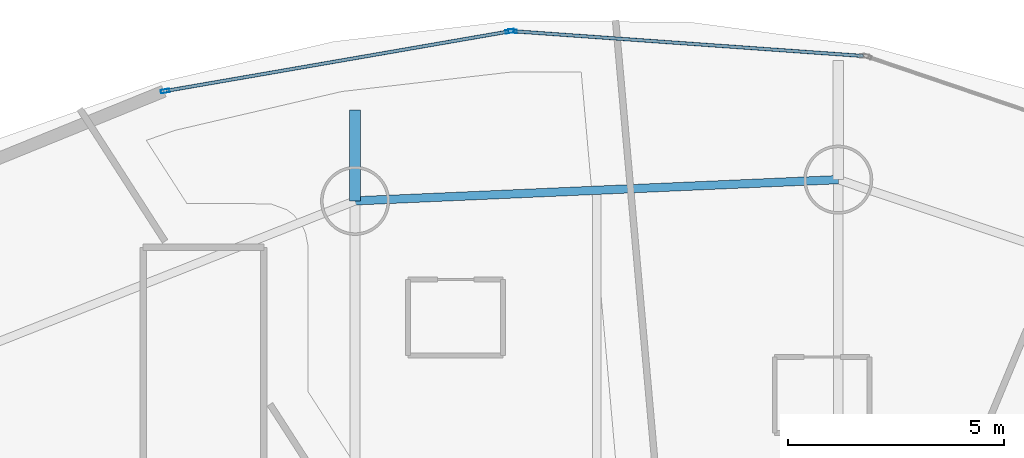
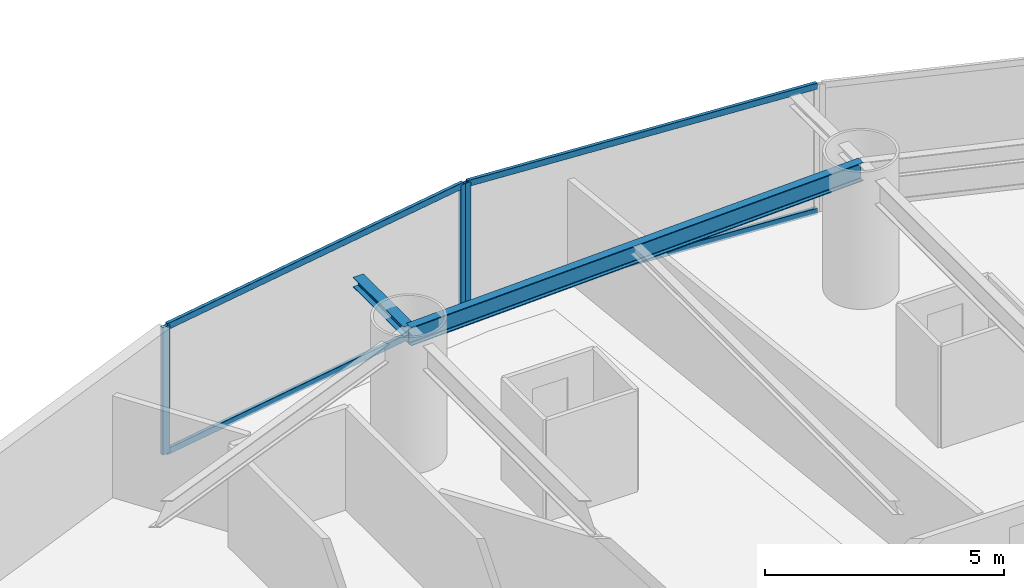
# One storey, part 14 of 27: 7 members, 2 beams, 2 elements without a shape of their own.
"""IFC4 building model written with IfcOpenShell, lengths in metres."""

from ifc_helpers import new_model, si_unit, direction, frame, origin, origin_2d, place, context, subcontext, project, spatial, hollow_rectangle, i_section, extrude, material, layer, layer_set, material_profile, profile_set, type_object, element, aggregate, save


model = new_model("IFC4")

# Units and contexts
model_context = context("Model", 3, precision=1e-05, world=origin(), true_north=direction((0.0, 1.0)))
body_context = subcontext(model_context, "Body", "Model", "MODEL_VIEW")
ifc_project = project(units=[si_unit("LENGTHUNIT", "METRE"), si_unit("AREAUNIT", "SQUARE_METRE"), si_unit("VOLUMEUNIT", "CUBIC_METRE"), si_unit("PLANEANGLEUNIT", "RADIAN"), si_unit("MASSUNIT", "GRAM", prefix="KILO")], contexts=[model_context])

# Site, building, storey
site_placement = place(None, origin())
site = spatial("IfcSite", under=ifc_project, at=site_placement, CompositionType="ELEMENT")
building_placement = place(site_placement, origin())
building = spatial("IfcBuilding", under=site, at=building_placement, Name="Bramvorn Convention Spire", CompositionType="ELEMENT")
storey_placement = place(building_placement, frame((0.0, 0.0, 79.89990234375)))
storey = spatial("IfcBuildingStorey", under=building, at=storey_placement, Name="L18", CompositionType="ELEMENT", Elevation=79.89990234375)

# Beams
ifc_material_1 = material(Name="Steel CSA G40.21 Grade 350 (350W)", Category="steel")
ifc_material_profile_1 = material_profile(ifc_material_1, i_section(OverallWidth=0.25390625, OverallDepth=0.2529296875, WebThickness=0.008544921875, FlangeThickness=0.01416015625, FilletRadius=0.011962890625, at=origin_2d()))
ifc_profile_set_1 = profile_set([ifc_material_profile_1], Name="Steel CSA G40.21 Grade 350 (350W) - W250X73")
beam_type_1 = type_object("IfcBeamType", Name="BM-W250X73", PredefinedType="BEAM", material=ifc_profile_set_1)
beam_1_placement = place(storey_placement, frame((29.76220703125, 46.57666015625, 3.12353515625), z_axis=(0.0, 1.0, 0.0), x_axis=(-1.0, 0.0, 0.0)))
element("IfcBeam", 1, at=beam_1_placement, inside=storey, type_object=beam_type_1, Name="L18 slab-edge cantilever tip beam MC06", PredefinedType="BEAM", context=body_context, shape_type="SweptSolid", body=[
    extrude(i_section(OverallWidth=0.25390625, OverallDepth=0.2529296875, WebThickness=0.008544921875, FlangeThickness=0.01416015625, FilletRadius=0.011962890625, at=origin_2d()), origin(), (0.0, 0.0, 1.0), 2.10595703125),
])
ifc_material_profile_2 = material_profile(ifc_material_1, i_section(OverallWidth=0.194091796875, OverallDepth=0.468994140625, WebThickness=0.0126953125, FlangeThickness=0.0205078125, FilletRadius=0.01806640625, at=origin_2d()))
ifc_profile_set_2 = profile_set([ifc_material_profile_2], Name="Steel CSA G40.21 Grade 350 (350W) - W460X106")
beam_type_2 = type_object("IfcBeamType", Name="BM-W460X106", PredefinedType="SPANDREL", material=ifc_profile_set_2)
beam_2_placement = place(storey_placement, frame((40.9609375, 47.06884765625, 3.015625), z_axis=(-0.999035582762, -0.043907907889, 0.0), x_axis=(0.043907907889, -0.999035582762, 0.0)))
element("IfcBeam", 2, at=beam_2_placement, inside=storey, type_object=beam_type_2, Name="L18 mega-column ring beam 05", PredefinedType="SPANDREL", context=body_context, shape_type="SweptSolid", body=[
    extrude(i_section(OverallWidth=0.194091796875, OverallDepth=0.468994140625, WebThickness=0.0126953125, FlangeThickness=0.0205078125, FilletRadius=0.01806640625, at=origin_2d()), origin(), (0.0, 0.0, 1.0), 11.20947265625),
])

# Curtain wall, member
ifc_material_2 = material(Name="Anodised Bronze Unitised Curtain Wall", Category="aluminium")
ifc_layer = layer(ifc_material_2, 0.179931640625)
ifc_layer_set = layer_set([ifc_layer], Name="Anodised Bronze Unitised Curtain Wall - CW-HTL-FRIT")
curtain_wall_type = type_object("IfcCurtainWallType", Name="CW-HTL-FRIT", PredefinedType="USERDEFINED", material=ifc_layer_set)
curtain_wall_1_placement = place(storey_placement, origin())
curtain_wall_1 = element("IfcCurtainWall", 3, at=curtain_wall_1_placement, inside=storey, type_object=curtain_wall_type, Name="L18 fritted glass curtain wall 07", ObjectType="UNITISED CURTAIN WALL", PredefinedType="USERDEFINED")
ifc_material_3 = material(Name="Anodised Bronze Aluminium 6063-T6", Category="aluminium")
ifc_material_profile_3 = material_profile(ifc_material_3, hollow_rectangle(XDim=0.080078125, YDim=0.199951171875, WallThickness=0.00390625, InnerFilletRadius=0.0009765625, OuterFilletRadius=0.00390625, at=origin_2d()))
ifc_profile_set_3 = profile_set([ifc_material_profile_3], Name="Anodised Bronze Aluminium 6063-T6 - CWM80X200")
member_type_1 = type_object("IfcMemberType", Name="CW-MUL-180", PredefinedType="MULLION", material=ifc_profile_set_3)
member_1_placement = place(storey_placement, frame((33.41015625, 50.509765625, 0.0), z_axis=(0.0, 0.0, 1.0), x_axis=(0.070510614418, 0.997511029139, 0.0)))
member_1 = element("IfcMember", 4, at=member_1_placement, type_object=member_type_1, Name="CW2 mullion 1", PredefinedType="MULLION", context=body_context, shape_type="SweptSolid", body=[
    extrude(hollow_rectangle(XDim=0.080078125, YDim=0.199951171875, WallThickness=0.00390625, InnerFilletRadius=0.0009765625, OuterFilletRadius=0.00390625, at=origin_2d()), origin(), (0.0, 0.0, 1.0), 3.25),
])

# Curtain wall, members
curtain_wall_2_placement = place(storey_placement, origin())
curtain_wall_2 = element("IfcCurtainWall", 5, at=curtain_wall_2_placement, inside=storey, type_object=curtain_wall_type, Name="L18 fritted glass curtain wall 08", ObjectType="UNITISED CURTAIN WALL", PredefinedType="USERDEFINED")
member_2_placement = place(storey_placement, frame((25.35888671875, 49.12255859375, 0.0), z_axis=(0.0, 0.0, 1.0), x_axis=(-0.170657289875, 0.985330446811, 0.0)))
member_2 = element("IfcMember", 6, at=member_2_placement, type_object=member_type_1, Name="CW2 mullion 1", PredefinedType="MULLION", context=body_context, shape_type="SweptSolid", body=[
    extrude(hollow_rectangle(XDim=0.080078125, YDim=0.199951171875, WallThickness=0.00390625, InnerFilletRadius=0.0009765625, OuterFilletRadius=0.00390625, at=origin_2d()), origin(), (0.0, 0.0, 1.0), 3.25),
])
member_3_placement = place(storey_placement, frame((33.350830078125, 50.506591796875, 0.0), z_axis=(0.0, 0.0, 1.0), x_axis=(-0.170657289875, 0.985330446811, 0.0)))
member_3 = element("IfcMember", 7, at=member_3_placement, type_object=member_type_1, Name="CW2 mullion 2", PredefinedType="MULLION", context=body_context, shape_type="SweptSolid", body=[
    extrude(hollow_rectangle(XDim=0.080078125, YDim=0.199951171875, WallThickness=0.00390625, InnerFilletRadius=0.0009765625, OuterFilletRadius=0.00390625, at=origin_2d()), origin(), (0.0, 0.0, 1.0), 3.25),
])

# Member
ifc_material_profile_4 = material_profile(ifc_material_3, hollow_rectangle(XDim=0.080078125, YDim=0.159912109375, WallThickness=0.00390625, InnerFilletRadius=0.0009765625, OuterFilletRadius=0.00390625, at=origin_2d()))
ifc_profile_set_4 = profile_set([ifc_material_profile_4], Name="Anodised Bronze Aluminium 6063-T6 - CWT80X160")
member_type_2 = type_object("IfcMemberType", Name="CW-TRN-150", PredefinedType="USERDEFINED", material=ifc_profile_set_4)
member_4_placement = place(storey_placement, frame((33.440185546875, 50.507568359375, 0.030029296875), z_axis=(0.997510016538, -0.070524938183, 0.0), x_axis=(0.070524938183, 0.997510016538, 0.0)))
member_4 = element("IfcMember", 8, at=member_4_placement, type_object=member_type_2, Name="CW2 transom 1.1", ObjectType="TRANSOM", PredefinedType="USERDEFINED", context=body_context, shape_type="SweptSolid", body=[
    extrude(hollow_rectangle(XDim=0.080078125, YDim=0.159912109375, WallThickness=0.00390625, InnerFilletRadius=0.0009765625, OuterFilletRadius=0.00390625, at=origin_2d()), origin(), (0.0, 0.0, 1.0), 8.121337890625),
])

member_5_placement = place(storey_placement, frame((33.440185546875, 50.507568359375, 3.22021484375), z_axis=(0.997510016538, -0.070524938183, 0.0), x_axis=(0.070524938183, 0.997510016538, 0.0)))
member_5 = element("IfcMember", 9, at=member_5_placement, type_object=member_type_2, Name="CW2 transom 1.2", ObjectType="TRANSOM", PredefinedType="USERDEFINED", context=body_context, shape_type="SweptSolid", body=[
    extrude(hollow_rectangle(XDim=0.080078125, YDim=0.159912109375, WallThickness=0.00390625, InnerFilletRadius=0.0009765625, OuterFilletRadius=0.00390625, at=origin_2d()), origin(), (0.0, 0.0, 1.0), 8.121337890625),
])

aggregate(curtain_wall_1, [member_1, member_4, member_5])

member_6_placement = place(storey_placement, frame((25.388427734375, 49.127685546875, 0.030029296875), z_axis=(0.985334135886, 0.170635988755, 0.0), x_axis=(-0.170635988755, 0.985334135886, 0.0)))
member_6 = element("IfcMember", 10, at=member_6_placement, type_object=member_type_2, Name="CW2 transom 1.1", ObjectType="TRANSOM", PredefinedType="USERDEFINED", context=body_context, shape_type="SweptSolid", body=[
    extrude(hollow_rectangle(XDim=0.080078125, YDim=0.159912109375, WallThickness=0.00390625, InnerFilletRadius=0.0009765625, OuterFilletRadius=0.00390625, at=origin_2d()), origin(), (0.0, 0.0, 1.0), 8.051025390625),
])

member_7_placement = place(storey_placement, frame((25.388427734375, 49.127685546875, 3.22021484375), z_axis=(0.985334135886, 0.170635988755, 0.0), x_axis=(-0.170635988755, 0.985334135886, 0.0)))
member_7 = element("IfcMember", 11, at=member_7_placement, type_object=member_type_2, Name="CW2 transom 1.2", ObjectType="TRANSOM", PredefinedType="USERDEFINED", context=body_context, shape_type="SweptSolid", body=[
    extrude(hollow_rectangle(XDim=0.080078125, YDim=0.159912109375, WallThickness=0.00390625, InnerFilletRadius=0.0009765625, OuterFilletRadius=0.00390625, at=origin_2d()), origin(), (0.0, 0.0, 1.0), 8.051025390625),
])

aggregate(curtain_wall_2, [member_2, member_3, member_6, member_7])

save(model, "model.ifc")
